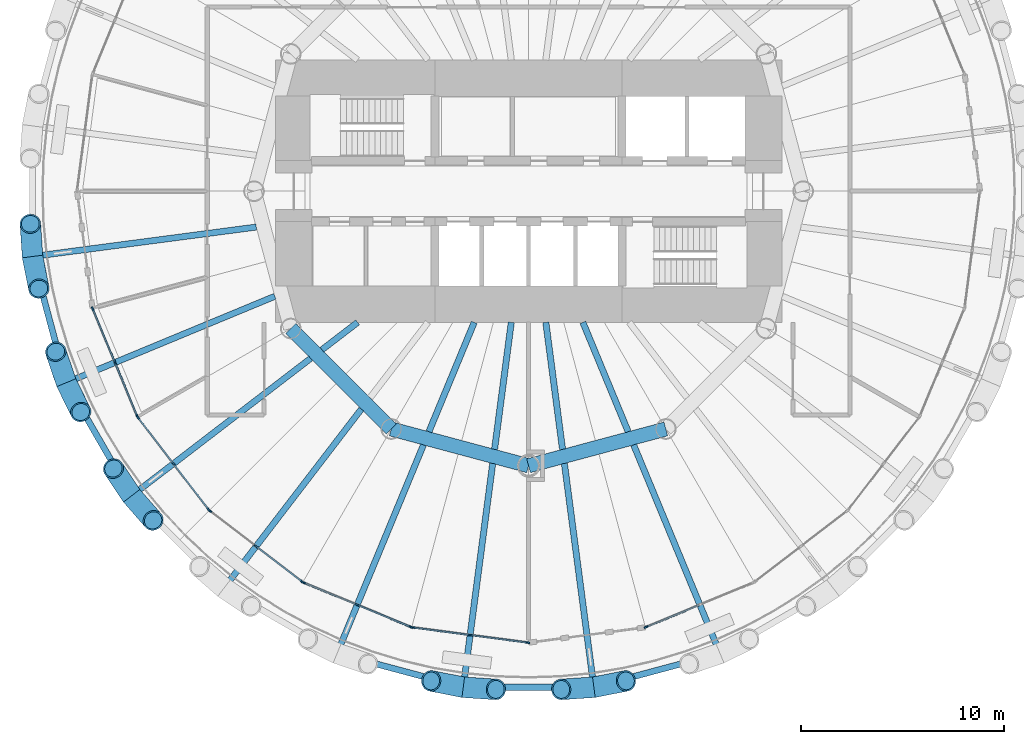
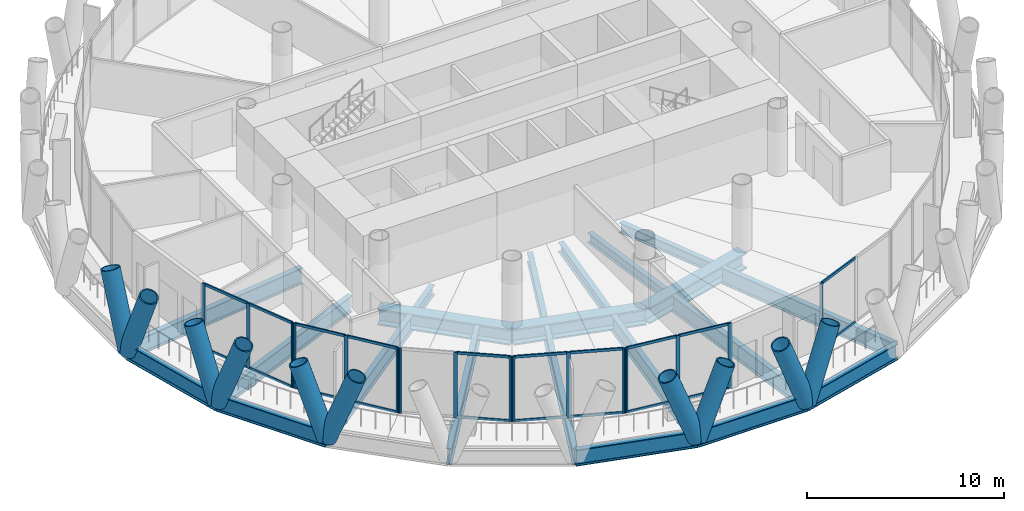
# One storey, part 2 of 14: 46 members, 21 beams, 6 elements without a shape of their own.
"""IFC4 building model written with IfcOpenShell, lengths in metres."""

from ifc_helpers import new_model, si_unit, direction, frame, origin, origin_2d, place, context, subcontext, project, spatial, rectangle, hollow_circle, i_section, extrude, material, material_profile, profile_set, type_object, element, aggregate, save


model = new_model("IFC4")

# Units and contexts
model_context = context("Model", 3, precision=1e-05, world=origin(), true_north=direction((0.0, 1.0)))
body_context = subcontext(model_context, "Body", "Model", "MODEL_VIEW")
ifc_project = project(units=[si_unit("LENGTHUNIT", "METRE"), si_unit("AREAUNIT", "SQUARE_METRE"), si_unit("VOLUMEUNIT", "CUBIC_METRE"), si_unit("PLANEANGLEUNIT", "RADIAN"), si_unit("MASSUNIT", "GRAM", prefix="KILO")], contexts=[model_context])

# Site, building, storey
site_placement = place(None, origin())
site = spatial("IfcSite", under=ifc_project, at=site_placement, CompositionType="ELEMENT")
building_placement = place(site_placement, origin())
building = spatial("IfcBuilding", under=site, at=building_placement, Name="Qaws Media Tower", CompositionType="ELEMENT")
storey_placement = place(building_placement, frame((0.0, 0.0, 168.800048828125)))
storey = spatial("IfcBuildingStorey", under=building, at=storey_placement, Name="L38", CompositionType="ELEMENT", Elevation=168.800048828125)

# Curtain wall, members
ifc_material_1 = material(Name="Aluminium and clear glass", Category="aluminium")
curtain_wall_type = type_object("IfcCurtainWallType", Name="Unitised curtain wall CW-B", PredefinedType="NOTDEFINED", material=ifc_material_1)
curtain_wall_1_placement = place(storey_placement, origin())
curtain_wall_1 = element("IfcCurtainWall", 1, at=curtain_wall_1_placement, inside=storey, type_object=curtain_wall_type, Name="CWB curtain wall L38-14", PredefinedType="NOTDEFINED")
ifc_material_2 = material(Name="Aluminium mullion", Category="aluminium")
ifc_material_profile_1 = material_profile(ifc_material_2, rectangle(XDim=0.080078125, YDim=0.199951171875, at=origin_2d()), Name="80x200")
ifc_profile_set_1 = profile_set([ifc_material_profile_1], Name="Aluminium mullion")
member_type_1 = type_object("IfcMemberType", Name="Curtain wall mullion 80x200", PredefinedType="MULLION", material=ifc_profile_set_1)
member_1_placement = place(storey_placement, frame((38.57177734375, 44.21728515625, 0.0), z_axis=(0.0, 0.0, 1.0), x_axis=(0.923879550645, 0.382683388586, 0.0)))
member_1 = element("IfcMember", 2, at=member_1_placement, type_object=member_type_1, Name="CWB mullion 1", PredefinedType="MULLION", context=body_context, shape_type="SweptSolid", body=[
    extrude(rectangle(XDim=0.080078125, YDim=0.199951171875, at=origin_2d()), origin(), (0.0, 0.0, 1.0), 4.0400390625),
])
member_2_placement = place(storey_placement, frame((39.665283203125, 41.5771484375, 0.0), z_axis=(0.0, 0.0, 1.0), x_axis=(0.923879550645, 0.382683388586, 0.0)))
member_2 = element("IfcMember", 3, at=member_2_placement, type_object=member_type_1, Name="CWB mullion 2", PredefinedType="MULLION", context=body_context, shape_type="SweptSolid", body=[
    extrude(rectangle(XDim=0.080078125, YDim=0.199951171875, at=origin_2d()), origin(), (0.0, 0.0, 1.0), 4.0400390625),
])
member_3_placement = place(storey_placement, frame((40.759033203125, 38.93701171875, 0.0), z_axis=(0.0, 0.0, 1.0), x_axis=(0.923879550645, 0.382683388586, 0.0)))
member_3 = element("IfcMember", 4, at=member_3_placement, type_object=member_type_1, Name="CWB mullion 3", PredefinedType="MULLION", context=body_context, shape_type="SweptSolid", body=[
    extrude(rectangle(XDim=0.080078125, YDim=0.199951171875, at=origin_2d()), origin(), (0.0, 0.0, 1.0), 4.0400390625),
])

curtain_wall_2_placement = place(storey_placement, origin())
curtain_wall_2 = element("IfcCurtainWall", 5, at=curtain_wall_2_placement, inside=storey, type_object=curtain_wall_type, Name="CWB curtain wall L38-15", PredefinedType="NOTDEFINED")
member_4_placement = place(storey_placement, frame((40.798583984375, 38.8681640625, 0.0), z_axis=(0.0, 0.0, 1.0), x_axis=(0.793353404699, 0.60876134507, 0.0)))
member_4 = element("IfcMember", 6, at=member_4_placement, type_object=member_type_1, Name="CWB mullion 1", PredefinedType="MULLION", context=body_context, shape_type="SweptSolid", body=[
    extrude(rectangle(XDim=0.080078125, YDim=0.199951171875, at=origin_2d()), origin(), (0.0, 0.0, 1.0), 4.0400390625),
])
member_5_placement = place(storey_placement, frame((42.538330078125, 36.60107421875, 0.0), z_axis=(0.0, 0.0, 1.0), x_axis=(0.793353404699, 0.60876134507, 0.0)))
member_5 = element("IfcMember", 7, at=member_5_placement, type_object=member_type_1, Name="CWB mullion 2", PredefinedType="MULLION", context=body_context, shape_type="SweptSolid", body=[
    extrude(rectangle(XDim=0.080078125, YDim=0.199951171875, at=origin_2d()), origin(), (0.0, 0.0, 1.0), 4.0400390625),
])
member_6_placement = place(storey_placement, frame((44.27783203125, 34.333984375, 0.0), z_axis=(0.0, 0.0, 1.0), x_axis=(0.793353404699, 0.60876134507, 0.0)))
member_6 = element("IfcMember", 8, at=member_6_placement, type_object=member_type_1, Name="CWB mullion 3", PredefinedType="MULLION", context=body_context, shape_type="SweptSolid", body=[
    extrude(rectangle(XDim=0.080078125, YDim=0.199951171875, at=origin_2d()), origin(), (0.0, 0.0, 1.0), 4.0400390625),
])

curtain_wall_3_placement = place(storey_placement, origin())
curtain_wall_3 = element("IfcCurtainWall", 9, at=curtain_wall_3_placement, inside=storey, type_object=curtain_wall_type, Name="CWB curtain wall L38-16", PredefinedType="NOTDEFINED")
member_7_placement = place(storey_placement, frame((44.333984375, 34.27783203125, 0.0), z_axis=(0.0, 0.0, 1.0), x_axis=(0.60876134507, 0.793353404699, 0.0)))
member_7 = element("IfcMember", 10, at=member_7_placement, type_object=member_type_1, Name="CWB mullion 1", PredefinedType="MULLION", context=body_context, shape_type="SweptSolid", body=[
    extrude(rectangle(XDim=0.080078125, YDim=0.199951171875, at=origin_2d()), origin(), (0.0, 0.0, 1.0), 4.0400390625),
])
member_8_placement = place(storey_placement, frame((46.60107421875, 32.538330078125, 0.0), z_axis=(0.0, 0.0, 1.0), x_axis=(0.60876134507, 0.793353404699, 0.0)))
member_8 = element("IfcMember", 11, at=member_8_placement, type_object=member_type_1, Name="CWB mullion 2", PredefinedType="MULLION", context=body_context, shape_type="SweptSolid", body=[
    extrude(rectangle(XDim=0.080078125, YDim=0.199951171875, at=origin_2d()), origin(), (0.0, 0.0, 1.0), 4.0400390625),
])
member_9_placement = place(storey_placement, frame((48.8681640625, 30.798583984375, 0.0), z_axis=(0.0, 0.0, 1.0), x_axis=(0.60876134507, 0.793353404699, 0.0)))
member_9 = element("IfcMember", 12, at=member_9_placement, type_object=member_type_1, Name="CWB mullion 3", PredefinedType="MULLION", context=body_context, shape_type="SweptSolid", body=[
    extrude(rectangle(XDim=0.080078125, YDim=0.199951171875, at=origin_2d()), origin(), (0.0, 0.0, 1.0), 4.0400390625),
])

curtain_wall_4_placement = place(storey_placement, origin())
curtain_wall_4 = element("IfcCurtainWall", 13, at=curtain_wall_4_placement, inside=storey, type_object=curtain_wall_type, Name="CWB curtain wall L38-17", PredefinedType="NOTDEFINED")
member_10_placement = place(storey_placement, frame((48.93701171875, 30.759033203125, 0.0), z_axis=(0.0, 0.0, 1.0), x_axis=(0.382683388586, 0.923879550645, 0.0)))
member_10 = element("IfcMember", 14, at=member_10_placement, type_object=member_type_1, Name="CWB mullion 1", PredefinedType="MULLION", context=body_context, shape_type="SweptSolid", body=[
    extrude(rectangle(XDim=0.080078125, YDim=0.199951171875, at=origin_2d()), origin(), (0.0, 0.0, 1.0), 4.0400390625),
])
member_11_placement = place(storey_placement, frame((51.5771484375, 29.665283203125, 0.0), z_axis=(0.0, 0.0, 1.0), x_axis=(0.382683388586, 0.923879550645, 0.0)))
member_11 = element("IfcMember", 15, at=member_11_placement, type_object=member_type_1, Name="CWB mullion 2", PredefinedType="MULLION", context=body_context, shape_type="SweptSolid", body=[
    extrude(rectangle(XDim=0.080078125, YDim=0.199951171875, at=origin_2d()), origin(), (0.0, 0.0, 1.0), 4.0400390625),
])
member_12_placement = place(storey_placement, frame((54.21728515625, 28.57177734375, 0.0), z_axis=(0.0, 0.0, 1.0), x_axis=(0.382683388586, 0.923879550645, 0.0)))
member_12 = element("IfcMember", 16, at=member_12_placement, type_object=member_type_1, Name="CWB mullion 3", PredefinedType="MULLION", context=body_context, shape_type="SweptSolid", body=[
    extrude(rectangle(XDim=0.080078125, YDim=0.199951171875, at=origin_2d()), origin(), (0.0, 0.0, 1.0), 4.0400390625),
])

curtain_wall_5_placement = place(storey_placement, origin())
curtain_wall_5 = element("IfcCurtainWall", 17, at=curtain_wall_5_placement, inside=storey, type_object=curtain_wall_type, Name="CWB curtain wall L38-18", PredefinedType="NOTDEFINED")
member_13_placement = place(storey_placement, frame((54.2939453125, 28.55126953125, 0.0), z_axis=(0.0, 0.0, 1.0), x_axis=(0.13052624607, 0.991444854284, 0.0)))
member_13 = element("IfcMember", 18, at=member_13_placement, type_object=member_type_1, Name="CWB mullion 1", PredefinedType="MULLION", context=body_context, shape_type="SweptSolid", body=[
    extrude(rectangle(XDim=0.080078125, YDim=0.199951171875, at=origin_2d()), origin(), (0.0, 0.0, 1.0), 4.0400390625),
])
member_14_placement = place(storey_placement, frame((57.127197265625, 28.17822265625, 0.0), z_axis=(0.0, 0.0, 1.0), x_axis=(0.13052624607, 0.991444854284, 0.0)))
member_14 = element("IfcMember", 19, at=member_14_placement, type_object=member_type_1, Name="CWB mullion 2", PredefinedType="MULLION", context=body_context, shape_type="SweptSolid", body=[
    extrude(rectangle(XDim=0.080078125, YDim=0.199951171875, at=origin_2d()), origin(), (0.0, 0.0, 1.0), 4.0400390625),
])
member_15_placement = place(storey_placement, frame((59.96044921875, 27.80517578125, 0.0), z_axis=(0.0, 0.0, 1.0), x_axis=(0.13052624607, 0.991444854284, 0.0)))
member_15 = element("IfcMember", 20, at=member_15_placement, type_object=member_type_1, Name="CWB mullion 3", PredefinedType="MULLION", context=body_context, shape_type="SweptSolid", body=[
    extrude(rectangle(XDim=0.080078125, YDim=0.199951171875, at=origin_2d()), origin(), (0.0, 0.0, 1.0), 4.0400390625),
])

# Curtain wall, member
curtain_wall_6_placement = place(storey_placement, origin())
curtain_wall_6 = element("IfcCurtainWall", 21, at=curtain_wall_6_placement, inside=storey, type_object=curtain_wall_type, Name="CWB curtain wall L38-20", PredefinedType="NOTDEFINED")
member_16_placement = place(storey_placement, frame((65.78271484375, 28.57177734375, 0.0), z_axis=(0.0, 0.0, 1.0), x_axis=(-0.382683388586, 0.923879550645, 0.0)))
member_16 = element("IfcMember", 22, at=member_16_placement, type_object=member_type_1, Name="CWB mullion 1", PredefinedType="MULLION", context=body_context, shape_type="SweptSolid", body=[
    extrude(rectangle(XDim=0.080078125, YDim=0.199951171875, at=origin_2d()), origin(), (0.0, 0.0, 1.0), 4.0400390625),
])

# Member
ifc_material_3 = material(Name="Aluminium transom", Category="aluminium")
ifc_material_profile_2 = material_profile(ifc_material_3, rectangle(XDim=0.080078125, YDim=0.159912109375, at=origin_2d()), Name="80x160")
ifc_profile_set_2 = profile_set([ifc_material_profile_2], Name="Aluminium transom")
member_type_2 = type_object("IfcMemberType", Name="Curtain wall transom 80x160", PredefinedType="USERDEFINED", material=ifc_profile_set_2)
member_17_placement = place(storey_placement, frame((38.587158203125, 44.180419921875, 0.0400390625), z_axis=(0.382667455962, -0.923886149992, 0.0), x_axis=(0.923886149992, 0.382667455962, 0.0)))
member_17 = element("IfcMember", 23, at=member_17_placement, type_object=member_type_2, Name="CWB transom 1.1", ObjectType="TRANSOM", PredefinedType="USERDEFINED", context=body_context, shape_type="SweptSolid", body=[
    extrude(rectangle(XDim=0.080078125, YDim=0.159912109375, at=origin_2d()), origin(), (0.0, 0.0, 1.0), 2.77783203125),
])

member_18_placement = place(storey_placement, frame((38.587158203125, 44.180419921875, 4.0), z_axis=(0.382667455962, -0.923886149992, 0.0), x_axis=(0.923886149992, 0.382667455962, 0.0)))
member_18 = element("IfcMember", 24, at=member_18_placement, type_object=member_type_2, Name="CWB transom 1.2", ObjectType="TRANSOM", PredefinedType="USERDEFINED", context=body_context, shape_type="SweptSolid", body=[
    extrude(rectangle(XDim=0.080078125, YDim=0.159912109375, at=origin_2d()), origin(), (0.0, 0.0, 1.0), 2.77783203125),
])

member_19_placement = place(storey_placement, frame((39.6806640625, 41.5400390625, 0.0400390625), z_axis=(0.382698530546, -0.923873278495, 0.0), x_axis=(0.923873278495, 0.382698530546, 0.0)))
member_19 = element("IfcMember", 25, at=member_19_placement, type_object=member_type_2, Name="CWB transom 2.1", ObjectType="TRANSOM", PredefinedType="USERDEFINED", context=body_context, shape_type="SweptSolid", body=[
    extrude(rectangle(XDim=0.080078125, YDim=0.159912109375, at=origin_2d()), origin(), (0.0, 0.0, 1.0), 2.777587890625),
])

member_20_placement = place(storey_placement, frame((39.6806640625, 41.5400390625, 4.0), z_axis=(0.382698530546, -0.923873278495, 0.0), x_axis=(0.923873278495, 0.382698530546, 0.0)))
member_20 = element("IfcMember", 26, at=member_20_placement, type_object=member_type_2, Name="CWB transom 2.2", ObjectType="TRANSOM", PredefinedType="USERDEFINED", context=body_context, shape_type="SweptSolid", body=[
    extrude(rectangle(XDim=0.080078125, YDim=0.159912109375, at=origin_2d()), origin(), (0.0, 0.0, 1.0), 2.777587890625),
])

aggregate(curtain_wall_1, [member_1, member_2, member_3, member_17, member_18, member_19, member_20])

member_21_placement = place(storey_placement, frame((40.822998046875, 38.83642578125, 0.0400390625), z_axis=(0.608767326735, -0.793348814772, 0.0), x_axis=(0.793348814772, 0.608767326735, 0.0)))
member_21 = element("IfcMember", 27, at=member_21_placement, type_object=member_type_2, Name="CWB transom 1.1", ObjectType="TRANSOM", PredefinedType="USERDEFINED", context=body_context, shape_type="SweptSolid", body=[
    extrude(rectangle(XDim=0.080078125, YDim=0.159912109375, at=origin_2d()), origin(), (0.0, 0.0, 1.0), 2.777587890625),
])

member_22_placement = place(storey_placement, frame((40.822998046875, 38.83642578125, 4.0), z_axis=(0.608767326735, -0.793348814772, 0.0), x_axis=(0.793348814772, 0.608767326735, 0.0)))
member_22 = element("IfcMember", 28, at=member_22_placement, type_object=member_type_2, Name="CWB transom 1.2", ObjectType="TRANSOM", PredefinedType="USERDEFINED", context=body_context, shape_type="SweptSolid", body=[
    extrude(rectangle(XDim=0.080078125, YDim=0.159912109375, at=origin_2d()), origin(), (0.0, 0.0, 1.0), 2.777587890625),
])

member_23_placement = place(storey_placement, frame((42.5625, 36.5693359375, 0.0400390625), z_axis=(0.608767326735, -0.793348814772, 0.0), x_axis=(0.793348814772, 0.608767326735, 0.0)))
member_23 = element("IfcMember", 29, at=member_23_placement, type_object=member_type_2, Name="CWB transom 2.1", ObjectType="TRANSOM", PredefinedType="USERDEFINED", context=body_context, shape_type="SweptSolid", body=[
    extrude(rectangle(XDim=0.080078125, YDim=0.159912109375, at=origin_2d()), origin(), (0.0, 0.0, 1.0), 2.777587890625),
])

member_24_placement = place(storey_placement, frame((42.5625, 36.5693359375, 4.0), z_axis=(0.608767326735, -0.793348814772, 0.0), x_axis=(0.793348814772, 0.608767326735, 0.0)))
member_24 = element("IfcMember", 30, at=member_24_placement, type_object=member_type_2, Name="CWB transom 2.2", ObjectType="TRANSOM", PredefinedType="USERDEFINED", context=body_context, shape_type="SweptSolid", body=[
    extrude(rectangle(XDim=0.080078125, YDim=0.159912109375, at=origin_2d()), origin(), (0.0, 0.0, 1.0), 2.777587890625),
])

aggregate(curtain_wall_2, [member_4, member_5, member_6, member_21, member_22, member_23, member_24])

member_25_placement = place(storey_placement, frame((46.6328125, 32.513916015625, 0.0400390625), z_axis=(0.793348814772, -0.608767326735, 0.0), x_axis=(0.608767326735, 0.793348814772, 0.0)))
member_25 = element("IfcMember", 31, at=member_25_placement, type_object=member_type_2, Name="CWB transom 2.1", ObjectType="TRANSOM", PredefinedType="USERDEFINED", context=body_context, shape_type="SweptSolid", body=[
    extrude(rectangle(XDim=0.080078125, YDim=0.159912109375, at=origin_2d()), origin(), (0.0, 0.0, 1.0), 2.777587890625),
])

member_26_placement = place(storey_placement, frame((46.6328125, 32.513916015625, 4.0), z_axis=(0.793348814772, -0.608767326735, 0.0), x_axis=(0.608767326735, 0.793348814772, 0.0)))
member_26 = element("IfcMember", 32, at=member_26_placement, type_object=member_type_2, Name="CWB transom 2.2", ObjectType="TRANSOM", PredefinedType="USERDEFINED", context=body_context, shape_type="SweptSolid", body=[
    extrude(rectangle(XDim=0.080078125, YDim=0.159912109375, at=origin_2d()), origin(), (0.0, 0.0, 1.0), 2.777587890625),
])

aggregate(curtain_wall_3, [member_7, member_8, member_9, member_25, member_26])

member_27_placement = place(storey_placement, frame((48.973876953125, 30.74365234375, 0.0400390625), z_axis=(0.923873278495, -0.382698530546, 0.0), x_axis=(0.382698530546, 0.923873278495, 0.0)))
member_27 = element("IfcMember", 33, at=member_27_placement, type_object=member_type_2, Name="CWB transom 1.1", ObjectType="TRANSOM", PredefinedType="USERDEFINED", context=body_context, shape_type="SweptSolid", body=[
    extrude(rectangle(XDim=0.080078125, YDim=0.159912109375, at=origin_2d()), origin(), (0.0, 0.0, 1.0), 2.777587890625),
])

member_28_placement = place(storey_placement, frame((48.973876953125, 30.74365234375, 4.0), z_axis=(0.923873278495, -0.382698530546, 0.0), x_axis=(0.382698530546, 0.923873278495, 0.0)))
member_28 = element("IfcMember", 34, at=member_28_placement, type_object=member_type_2, Name="CWB transom 1.2", ObjectType="TRANSOM", PredefinedType="USERDEFINED", context=body_context, shape_type="SweptSolid", body=[
    extrude(rectangle(XDim=0.080078125, YDim=0.159912109375, at=origin_2d()), origin(), (0.0, 0.0, 1.0), 2.777587890625),
])

member_29_placement = place(storey_placement, frame((51.614013671875, 29.650146484375, 0.0400390625), z_axis=(0.923886149992, -0.382667455962, 0.0), x_axis=(0.382667455962, 0.923886149992, 0.0)))
member_29 = element("IfcMember", 35, at=member_29_placement, type_object=member_type_2, Name="CWB transom 2.1", ObjectType="TRANSOM", PredefinedType="USERDEFINED", context=body_context, shape_type="SweptSolid", body=[
    extrude(rectangle(XDim=0.080078125, YDim=0.159912109375, at=origin_2d()), origin(), (0.0, 0.0, 1.0), 2.77783203125),
])

member_30_placement = place(storey_placement, frame((51.614013671875, 29.650146484375, 4.0), z_axis=(0.923886149992, -0.382667455962, 0.0), x_axis=(0.382667455962, 0.923886149992, 0.0)))
member_30 = element("IfcMember", 36, at=member_30_placement, type_object=member_type_2, Name="CWB transom 2.2", ObjectType="TRANSOM", PredefinedType="USERDEFINED", context=body_context, shape_type="SweptSolid", body=[
    extrude(rectangle(XDim=0.080078125, YDim=0.159912109375, at=origin_2d()), origin(), (0.0, 0.0, 1.0), 2.77783203125),
])

aggregate(curtain_wall_4, [member_10, member_11, member_12, member_27, member_28, member_29, member_30])

member_31_placement = place(storey_placement, frame((54.33349609375, 28.5458984375, 0.0400390625), z_axis=(0.991445318306, -0.130522721426, 0.0), x_axis=(0.130522721426, 0.991445318306, 0.0)))
member_31 = element("IfcMember", 37, at=member_31_placement, type_object=member_type_2, Name="CWB transom 1.1", ObjectType="TRANSOM", PredefinedType="USERDEFINED", context=body_context, shape_type="SweptSolid", body=[
    extrude(rectangle(XDim=0.080078125, YDim=0.159912109375, at=origin_2d()), origin(), (0.0, 0.0, 1.0), 2.777587890625),
])

member_32_placement = place(storey_placement, frame((54.33349609375, 28.5458984375, 4.0), z_axis=(0.991445318306, -0.130522721426, 0.0), x_axis=(0.130522721426, 0.991445318306, 0.0)))
member_32 = element("IfcMember", 38, at=member_32_placement, type_object=member_type_2, Name="CWB transom 1.2", ObjectType="TRANSOM", PredefinedType="USERDEFINED", context=body_context, shape_type="SweptSolid", body=[
    extrude(rectangle(XDim=0.080078125, YDim=0.159912109375, at=origin_2d()), origin(), (0.0, 0.0, 1.0), 2.777587890625),
])

member_33_placement = place(storey_placement, frame((57.166748046875, 28.173095703125, 0.0400390625), z_axis=(0.991445318306, -0.130522721426, 0.0), x_axis=(0.130522721426, 0.991445318306, 0.0)))
member_33 = element("IfcMember", 39, at=member_33_placement, type_object=member_type_2, Name="CWB transom 2.1", ObjectType="TRANSOM", PredefinedType="USERDEFINED", context=body_context, shape_type="SweptSolid", body=[
    extrude(rectangle(XDim=0.080078125, YDim=0.159912109375, at=origin_2d()), origin(), (0.0, 0.0, 1.0), 2.777587890625),
])

member_34_placement = place(storey_placement, frame((57.166748046875, 28.173095703125, 4.0), z_axis=(0.991445318306, -0.130522721426, 0.0), x_axis=(0.130522721426, 0.991445318306, 0.0)))
member_34 = element("IfcMember", 40, at=member_34_placement, type_object=member_type_2, Name="CWB transom 2.2", ObjectType="TRANSOM", PredefinedType="USERDEFINED", context=body_context, shape_type="SweptSolid", body=[
    extrude(rectangle(XDim=0.080078125, YDim=0.159912109375, at=origin_2d()), origin(), (0.0, 0.0, 1.0), 2.777587890625),
])

aggregate(curtain_wall_5, [member_13, member_14, member_15, member_31, member_32, member_33, member_34])

member_35_placement = place(storey_placement, frame((65.819580078125, 28.587158203125, 0.0400390625), z_axis=(0.923886149992, 0.382667455962, 0.0), x_axis=(-0.382667455962, 0.923886149992, 0.0)))
member_35 = element("IfcMember", 41, at=member_35_placement, type_object=member_type_2, Name="CWB transom 1.1", ObjectType="TRANSOM", PredefinedType="USERDEFINED", context=body_context, shape_type="SweptSolid", body=[
    extrude(rectangle(XDim=0.080078125, YDim=0.159912109375, at=origin_2d()), origin(), (0.0, 0.0, 1.0), 2.77783203125),
])

member_36_placement = place(storey_placement, frame((65.819580078125, 28.587158203125, 4.0), z_axis=(0.923886149992, 0.382667455962, 0.0), x_axis=(-0.382667455962, 0.923886149992, 0.0)))
member_36 = element("IfcMember", 42, at=member_36_placement, type_object=member_type_2, Name="CWB transom 1.2", ObjectType="TRANSOM", PredefinedType="USERDEFINED", context=body_context, shape_type="SweptSolid", body=[
    extrude(rectangle(XDim=0.080078125, YDim=0.159912109375, at=origin_2d()), origin(), (0.0, 0.0, 1.0), 2.77783203125),
])

aggregate(curtain_wall_6, [member_16, member_35, member_36])

# Members
ifc_material_4 = material(Name="Steel S460", Category="steel")
ifc_material_profile_3 = material_profile(ifc_material_4, hollow_circle(Radius=0.508056640625, WallThickness=0.070068359375, at=origin_2d()), Name="CHS 1016x70")
ifc_profile_set_3 = profile_set([ifc_material_profile_3], Name="Steel S460")
member_type_3 = type_object("IfcMemberType", Name="Diagrid member CHS 1016x70", PredefinedType="USERDEFINED", material=ifc_profile_set_3)
for number, where, z_axis, x_axis, name in (
    (43, (35.6103515625, 46.7890625, -0.6640625), (0.06920992015, -0.350989289166, 0.933818240261), (0.981108147358, 0.19346008164, 0.0), "DG3 diagrid L38 A13"),
    (44, (35.6103515625, 46.7890625, -0.6640625), (-0.023993083106, 0.356910681943, 0.933830336345), (-0.997748074079, -0.067072950379, 0.0), "DG3 diagrid L38 B13"),
    (45, (37.2724609375, 40.5859375, -0.6640625), (0.157692035338, -0.321083782797, 0.933829977253), (0.897591197421, 0.440828812934, 0.0), "DG3 diagrid L38 A14"),
    (46, (37.2724609375, 40.5859375, -0.6640625), (-0.115513773701, 0.338561751209, 0.93382680873), (-0.946429054791, -0.322911821163, 0.0), "DG3 diagrid L38 B14"),
    (47, (40.4833984375, 35.0244140625, -0.6640625), (0.235423600007, -0.269350219792, 0.933823424239), (0.752933777217, 0.658096290163, 0.0), "DG3 diagrid L38 A15"),
    (48, (40.4833984375, 35.0244140625, -0.6640625), (-0.19921635912, 0.297141784694, 0.933819898079), (-0.830600138816, -0.556869292922, 0.0), "DG3 diagrid L38 B15"),
    (49, (56.7890625, 25.6103515625, -0.6640625), (0.356910681943, -0.023993083106, 0.933830336345), (0.067072950379, 0.997748074079, 0.0), "DG3 diagrid L38 A18"),
    (50, (56.7890625, 25.6103515625, -0.6640625), (-0.350989289166, 0.06920992015, 0.933818240261), (-0.19346008164, -0.981108147358, 0.0), "DG3 diagrid L38 B18"),
    (51, (63.2109375, 25.6103515625, -0.6640625), (0.350989289166, 0.06920992015, 0.933818240261), (-0.19346008164, 0.981108147358, 0.0), "DG3 diagrid L38 A19"),
    (52, (63.2109375, 25.6103515625, -0.6640625), (-0.356910681943, -0.023993083106, 0.933830336345), (0.067072950379, -0.997748074079, 0.0), "DG3 diagrid L38 B19"),
):
    element("IfcMember", number, at=place(storey_placement, frame(where, z_axis=z_axis, x_axis=x_axis)), inside=storey, type_object=member_type_3, Name=name, ObjectType="DIAGRID", PredefinedType="USERDEFINED", context=body_context, shape_type="SweptSolid", body=[
        extrude(hollow_circle(Radius=0.508056640625, WallThickness=0.070068359375, at=origin_2d()), origin(), (0.0, 0.0, 1.0), 4.49755859375),
    ])

# Beams
ifc_material_5 = material(Name="Steel S460", Category="steel")
ifc_material_profile_4 = material_profile(ifc_material_5, i_section(OverallWidth=0.302001953125, OverallDepth=1.008056640625, WebThickness=0.02099609375, FlangeThickness=0.0400390625, FilletRadius=0.030029296875, at=origin_2d()), Name="HE 1000 M")
ifc_profile_set_4 = profile_set([ifc_material_profile_4], Name="Steel S460")
beam_type_1 = type_object("IfcBeamType", Name="Edge ring beam HE 1000 M", PredefinedType="BEAM", material=ifc_profile_set_4)
for number, where, z_axis, x_axis, name in (
    (53, (35.6103515625, 46.7890625, -0.6640625), (0.258817162309, -0.96592633078, 0.0), (0.96592633078, 0.258817162309, 0.0), "RB3 edge ring beam L38-13"),
    (54, (37.2724609375, 40.5859375, -0.6640625), (0.499998884236, -0.86602604797, 0.0), (0.86602604797, 0.499998884236, 0.0), "RB3 edge ring beam L38-14"),
    (55, (50.5859375, 27.2724609375, -0.6640625), (0.96592633078, -0.258817162309, 0.0), (0.258817162309, 0.96592633078, 0.0), "RB3 edge ring beam L38-17"),
    (56, (56.7890625, 25.6103515625, -0.6640625), (1.0, 0.0, 0.0), (0.0, 1.0, 0.0), "RB3 edge ring beam L38-18"),
    (57, (63.2109375, 25.6103515625, -0.6640625), (0.96592633078, 0.258817162309, 0.0), (-0.258817162309, 0.96592633078, 0.0), "RB3 edge ring beam L38-19"),
):
    element("IfcBeam", number, at=place(storey_placement, frame(where, z_axis=z_axis, x_axis=x_axis)), inside=storey, type_object=beam_type_1, Name=name, PredefinedType="BEAM", context=body_context, shape_type="SweptSolid", body=[
        extrude(i_section(OverallWidth=0.302001953125, OverallDepth=1.008056640625, WebThickness=0.02099609375, FlangeThickness=0.0400390625, FilletRadius=0.030029296875, at=origin_2d()), origin(), (0.0, 0.0, 1.0), 6.421875),
    ])
ifc_material_6 = material(Name="Steel S460", Category="steel")
ifc_material_profile_5 = material_profile(ifc_material_6, i_section(OverallWidth=0.699951171875, OverallDepth=1.0, WebThickness=0.034912109375, FlangeThickness=0.090087890625, at=origin_2d()), Name="PG 1000x700")
ifc_profile_set_5 = profile_set([ifc_material_profile_5], Name="Steel S460")
beam_type_2 = type_object("IfcBeamType", Name="Inner ring girder PG 1000x700", PredefinedType="BEAM", material=ifc_profile_set_5)
beam_1_placement = place(storey_placement, frame((48.30859375, 43.25, -0.66015625), z_axis=(0.707106781187, -0.707106781187, 0.0), x_axis=(0.707106781187, 0.707106781187, 0.0)))
element("IfcBeam", 58, at=beam_1_placement, inside=storey, type_object=beam_type_2, Name="B3 inner ring beam L38 I08-I09", PredefinedType="BEAM", context=body_context, shape_type="SweptSolid", body=[
    extrude(i_section(OverallWidth=0.699951171875, OverallDepth=1.0, WebThickness=0.034912109375, FlangeThickness=0.090087890625, at=origin_2d()), origin(), (0.0, 0.0, 1.0), 6.98828125),
])
for number, where, z_axis, x_axis, name in (
    (59, (53.25, 38.30859375, -0.66015625), (0.965928090778, -0.258810593767, 0.0), (0.258810593767, 0.965928090778, 0.0), "B3 inner ring beam L38 I09-I10"),
    (60, (60.0, 36.5, -0.66015625), (0.965928090778, 0.258810593767, 0.0), (-0.258810593767, 0.965928090778, 0.0), "B3 inner ring beam L38 I10-I11"),
):
    element("IfcBeam", number, at=place(storey_placement, frame(where, z_axis=z_axis, x_axis=x_axis)), inside=storey, type_object=beam_type_2, Name=name, PredefinedType="BEAM", context=body_context, shape_type="SweptSolid", body=[
        extrude(i_section(OverallWidth=0.699951171875, OverallDepth=1.0, WebThickness=0.034912109375, FlangeThickness=0.090087890625, at=origin_2d()), origin(), (0.0, 0.0, 1.0), 6.988037109375),
    ])
ifc_material_7 = material(Name="Steel S355", Category="steel")
ifc_material_profile_6 = material_profile(ifc_material_7, i_section(OverallWidth=0.302001953125, OverallDepth=1.008056640625, WebThickness=0.02099609375, FlangeThickness=0.0400390625, FilletRadius=0.030029296875, at=origin_2d()), Name="HE 1000 M")
ifc_profile_set_6 = profile_set([ifc_material_profile_6], Name="Steel S355")
beam_type_3 = type_object("IfcBeamType", Name="Radial beam HE 1000 M", PredefinedType="BEAM", material=ifc_profile_set_6)
beam_2_placement = place(storey_placement, frame((46.610107421875, 48.237060546875, -0.6640625), z_axis=(-0.991446579238, -0.13051314308, 0.0), x_axis=(0.13051314308, -0.991446579238, 0.0)))
element("IfcBeam", 61, at=beam_2_placement, inside=storey, type_object=beam_type_3, Name="B1 radial beam L38 13", PredefinedType="BEAM", context=body_context, shape_type="SweptSolid", body=[
    extrude(i_section(OverallWidth=0.302001953125, OverallDepth=1.008056640625, WebThickness=0.02099609375, FlangeThickness=0.0400390625, FilletRadius=0.030029296875, at=origin_2d()), origin(), (0.0, 0.0, 1.0), 11.0947265625),
])
beam_3_placement = place(storey_placement, frame((47.5224609375, 44.83154296875, -0.6640625), z_axis=(-0.923882194876, -0.382677004785, 0.0), x_axis=(0.382677004785, -0.923882194876, 0.0)))
element("IfcBeam", 62, at=beam_3_placement, inside=storey, type_object=beam_type_3, Name="B1 radial beam L38 14", PredefinedType="BEAM", context=body_context, shape_type="SweptSolid", body=[
    extrude(i_section(OverallWidth=0.302001953125, OverallDepth=1.008056640625, WebThickness=0.02099609375, FlangeThickness=0.0400390625, FilletRadius=0.030029296875, at=origin_2d()), origin(), (0.0, 0.0, 1.0), 11.094482421875),
])
for number, where, z_axis, x_axis, name in (
    (63, (49.285400390625, 41.7783203125, -0.6640625), (-0.793358015392, -0.60875533625, 0.0), (0.60875533625, -0.793358015392, 0.0), "B1 radial beam L38 15"),
    (64, (51.7783203125, 39.285400390625, -0.6640625), (-0.60875533625, -0.793358015392, 0.0), (0.793358015392, -0.60875533625, 0.0), "B1 radial beam L38 16"),
):
    element("IfcBeam", number, at=place(storey_placement, frame(where, z_axis=z_axis, x_axis=x_axis)), inside=storey, type_object=beam_type_3, Name=name, PredefinedType="BEAM", context=body_context, shape_type="SweptSolid", body=[
        extrude(i_section(OverallWidth=0.302001953125, OverallDepth=1.008056640625, WebThickness=0.02099609375, FlangeThickness=0.0400390625, FilletRadius=0.030029296875, at=origin_2d()), origin(), (0.0, 0.0, 1.0), 11.0947265625),
    ])
beam_4_placement = place(storey_placement, frame((54.83154296875, 37.5224609375, -0.6640625), z_axis=(-0.382677004785, -0.923882194876, 0.0), x_axis=(0.923882194876, -0.382677004785, 0.0)))
element("IfcBeam", 65, at=beam_4_placement, inside=storey, type_object=beam_type_3, Name="B1 radial beam L38 17", PredefinedType="BEAM", context=body_context, shape_type="SweptSolid", body=[
    extrude(i_section(OverallWidth=0.302001953125, OverallDepth=1.008056640625, WebThickness=0.02099609375, FlangeThickness=0.0400390625, FilletRadius=0.030029296875, at=origin_2d()), origin(), (0.0, 0.0, 1.0), 11.094482421875),
])
for number, where, z_axis, x_axis, name in (
    (66, (58.237060546875, 36.610107421875, -0.6640625), (-0.13051314308, -0.991446579238, 0.0), (0.991446579238, -0.13051314308, 0.0), "B1 radial beam L38 18"),
    (67, (61.762939453125, 36.610107421875, -0.6640625), (0.13051314308, -0.991446579238, 0.0), (0.991446579238, 0.13051314308, 0.0), "B1 radial beam L38 19"),
):
    element("IfcBeam", number, at=place(storey_placement, frame(where, z_axis=z_axis, x_axis=x_axis)), inside=storey, type_object=beam_type_3, Name=name, PredefinedType="BEAM", context=body_context, shape_type="SweptSolid", body=[
        extrude(i_section(OverallWidth=0.302001953125, OverallDepth=1.008056640625, WebThickness=0.02099609375, FlangeThickness=0.0400390625, FilletRadius=0.030029296875, at=origin_2d()), origin(), (0.0, 0.0, 1.0), 11.0947265625),
    ])
beam_5_placement = place(storey_placement, frame((65.16845703125, 37.5224609375, -0.6640625), z_axis=(0.382677004785, -0.923882194876, 0.0), x_axis=(0.923882194876, 0.382677004785, 0.0)))
element("IfcBeam", 68, at=beam_5_placement, inside=storey, type_object=beam_type_3, Name="B1 radial beam L38 20", PredefinedType="BEAM", context=body_context, shape_type="SweptSolid", body=[
    extrude(i_section(OverallWidth=0.302001953125, OverallDepth=1.008056640625, WebThickness=0.02099609375, FlangeThickness=0.0400390625, FilletRadius=0.030029296875, at=origin_2d()), origin(), (0.0, 0.0, 1.0), 11.094482421875),
])
ifc_material_8 = material(Name="Steel S355", Category="steel")
ifc_material_profile_7 = material_profile(ifc_material_8, i_section(OverallWidth=0.304931640625, OverallDepth=0.6201171875, WebThickness=0.02099609375, FlangeThickness=0.0400390625, FilletRadius=0.027099609375, at=origin_2d()), Name="HE 600 M")
ifc_profile_set_7 = profile_set([ifc_material_profile_7], Name="Steel S355")
beam_type_4 = type_object("IfcBeamType", Name="Radial beam HE 600 M, core side", PredefinedType="BEAM", material=ifc_profile_set_7)
beam_6_placement = place(storey_placement, frame((51.59423828125, 43.550048828125, -0.469970703125), z_axis=(-0.793372769304, -0.608736107789, 0.0), x_axis=(0.608736107789, -0.793372769304, 0.0)))
element("IfcBeam", 69, at=beam_6_placement, inside=storey, type_object=beam_type_4, Name="B2 radial beam L38 15", PredefinedType="BEAM", context=body_context, shape_type="SweptSolid", body=[
    extrude(i_section(OverallWidth=0.304931640625, OverallDepth=0.6201171875, WebThickness=0.02099609375, FlangeThickness=0.0400390625, FilletRadius=0.027099609375, at=origin_2d()), origin(), (0.0, 0.0, 1.0), 2.204345703125),
])
beam_7_placement = place(storey_placement, frame((57.328369140625, 43.550048828125, -0.469970703125), z_axis=(-0.382692744599, -0.923875675203, 0.0), x_axis=(0.923875675203, -0.382692744599, 0.0)))
element("IfcBeam", 70, at=beam_7_placement, inside=storey, type_object=beam_type_4, Name="B2 radial beam L38 17", PredefinedType="BEAM", context=body_context, shape_type="SweptSolid", body=[
    extrude(i_section(OverallWidth=0.304931640625, OverallDepth=0.6201171875, WebThickness=0.02099609375, FlangeThickness=0.0400390625, FilletRadius=0.027099609375, at=origin_2d()), origin(), (0.0, 0.0, 1.0), 5.818115234375),
])
for number, where, z_axis, x_axis, name in (
    (71, (59.15087890625, 43.550048828125, -0.469970703125), (-0.130529769311, -0.991444390434, 0.0), (0.991444390434, -0.130529769311, 0.0), "B2 radial beam L38 18"),
    (72, (60.84912109375, 43.550048828125, -0.469970703125), (0.130529769311, -0.991444390434, 0.0), (0.991444390434, 0.130529769311, 0.0), "B2 radial beam L38 19"),
):
    element("IfcBeam", number, at=place(storey_placement, frame(where, z_axis=z_axis, x_axis=x_axis)), inside=storey, type_object=beam_type_4, Name=name, PredefinedType="BEAM", context=body_context, shape_type="SweptSolid", body=[
        extrude(i_section(OverallWidth=0.304931640625, OverallDepth=0.6201171875, WebThickness=0.02099609375, FlangeThickness=0.0400390625, FilletRadius=0.027099609375, at=origin_2d()), origin(), (0.0, 0.0, 1.0), 6.2939453125),
    ])
beam_8_placement = place(storey_placement, frame((62.671630859375, 43.550048828125, -0.469970703125), z_axis=(0.382692744599, -0.923875675203, 0.0), x_axis=(0.923875675203, 0.382692744599, 0.0)))
element("IfcBeam", 73, at=beam_8_placement, inside=storey, type_object=beam_type_4, Name="B2 radial beam L38 20", PredefinedType="BEAM", context=body_context, shape_type="SweptSolid", body=[
    extrude(i_section(OverallWidth=0.304931640625, OverallDepth=0.6201171875, WebThickness=0.02099609375, FlangeThickness=0.0400390625, FilletRadius=0.027099609375, at=origin_2d()), origin(), (0.0, 0.0, 1.0), 5.818115234375),
])

save(model, "model.ifc")
